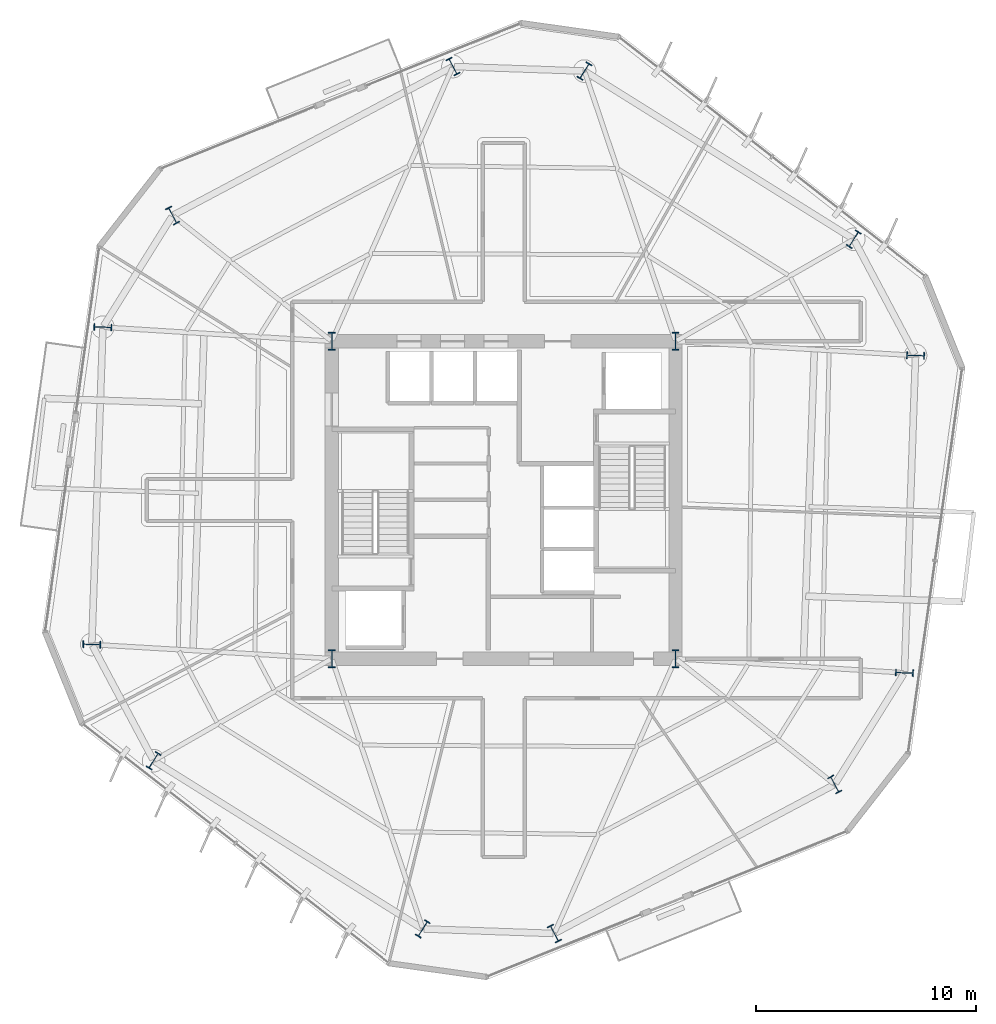
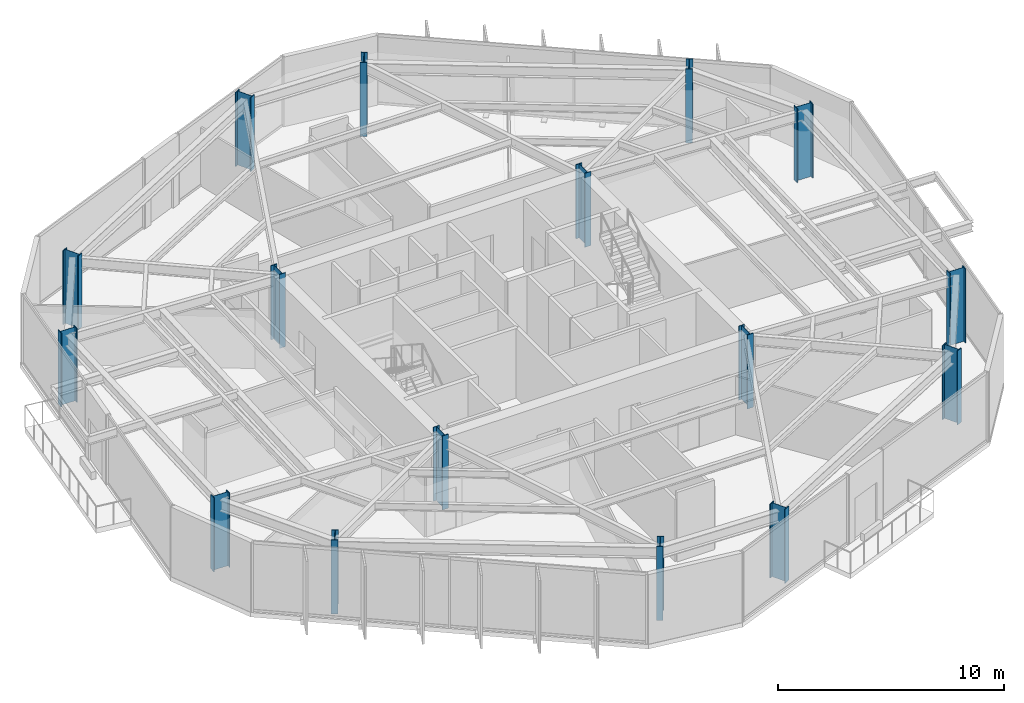
# One storey, part 1 of 12: 16 columns.
"""IFC4 building model written with IfcOpenShell, lengths in metres."""

from ifc_helpers import new_model, si_unit, direction, frame, origin, origin_2d, place, context, subcontext, project, spatial, i_section, extrude, material, material_profile, profile_set, type_object, element, save


model = new_model("IFC4")

# Units and contexts
model_context = context("Model", 3, precision=1e-05, world=origin(), true_north=direction((0.0, 1.0)))
body_context = subcontext(model_context, "Body", "Model", "MODEL_VIEW")
ifc_project = project(units=[si_unit("LENGTHUNIT", "METRE"), si_unit("AREAUNIT", "SQUARE_METRE"), si_unit("VOLUMEUNIT", "CUBIC_METRE"), si_unit("PLANEANGLEUNIT", "RADIAN"), si_unit("MASSUNIT", "GRAM", prefix="KILO")], contexts=[model_context])

# Site, building, storey
site_placement = place(None, origin())
site = spatial("IfcSite", under=ifc_project, at=site_placement, CompositionType="ELEMENT")
building_placement = place(site_placement, origin())
building = spatial("IfcBuilding", under=site, at=building_placement, Name="Kranzbogen Civic Tower", CompositionType="ELEMENT")
storey_placement = place(building_placement, frame((0.0, 0.0, 110.39990234375)))
storey = spatial("IfcBuildingStorey", under=building, at=storey_placement, Name="L26", CompositionType="ELEMENT", Elevation=110.39990234375)

# Columns
ifc_material = material(Name="Steel S460", Category="steel")
ifc_material_profile = material_profile(ifc_material, i_section(OverallWidth=0.302978515625, OverallDepth=0.81396484375, WebThickness=0.02099609375, FlangeThickness=0.0400390625, at=origin_2d()), Name="HEM 800")
ifc_profile_set = profile_set([ifc_material_profile], Name="Steel S460")
column_type = type_object("IfcColumnType", Name="Structural Column HEM 800", PredefinedType="COLUMN", material=ifc_profile_set)
for number, where, z_axis, x_axis, name in (
    (1, (17.199951171875, 17.800048828125, 0.0), (0.0, 0.0, 1.0), (1.0, 0.0, 0.0), "L26 composite core corner column 1"),
    (2, (32.800048828125, 17.800048828125, 0.0), (0.0, 0.0, 1.0), (1.0, 0.0, 0.0), "L26 composite core corner column 2"),
    (3, (32.800048828125, 32.199951171875, 0.0), (0.0, 0.0, 1.0), (1.0, 0.0, 0.0), "L26 composite core corner column 3"),
    (4, (17.199951171875, 32.199951171875, 0.0), (0.0, 0.0, 1.0), (1.0, 0.0, 0.0), "L26 composite core corner column 4"),
    (5, (40.885986328125, 36.8291015625, 0.0), (0.0, 0.0, 1.0), (-0.848048096156, 0.529919264233, 0.0), "L26 tower perimeter tube column 01"),
    (6, (28.66796875, 44.464111328125, 0.0), (0.0, 0.0, 1.0), (-0.848048096156, 0.529919264233, 0.0), "L26 tower perimeter tube column 02"),
    (7, (22.698974609375, 44.672119140625, 0.0), (0.0, 0.0, 1.0), (0.882947592859, 0.469471562786, 0.0), "L26 tower perimeter tube column 03"),
    (8, (9.97705078125, 37.907958984375, 0.0), (0.0, 0.0, 1.0), (0.882947592859, 0.469471562786, 0.0), "L26 tower perimeter tube column 04"),
    (9, (6.81298828125, 32.843994140625, 0.0), (0.0, 0.0, 1.0), (0.034899496703, 0.999390827019, 0.0), "L26 tower perimeter tube column 05"),
    (10, (6.31005859375, 18.444091796875, 0.0), (0.0, 0.0, 1.0), (0.034899496703, 0.999390827019, 0.0), "L26 tower perimeter tube column 06"),
    (11, (9.114013671875, 13.1708984375, 0.0), (0.0, 0.0, 1.0), (-0.848048096156, 0.529919264233, 0.0), "L26 tower perimeter tube column 07"),
    (12, (21.33203125, 5.535888671875, 0.0), (0.0, 0.0, 1.0), (-0.848048096156, 0.529919264233, 0.0), "L26 tower perimeter tube column 08"),
    (13, (27.301025390625, 5.327880859375, 0.0), (0.0, 0.0, 1.0), (0.882947592859, 0.469471562786, 0.0), "L26 tower perimeter tube column 09"),
    (14, (40.02294921875, 12.092041015625, 0.0), (0.0, 0.0, 1.0), (0.882947592859, 0.469471562786, 0.0), "L26 tower perimeter tube column 10"),
    (15, (43.18701171875, 17.156005859375, 0.0), (0.0, 0.0, 1.0), (0.034899496703, 0.999390827019, 0.0), "L26 tower perimeter tube column 11"),
    (16, (43.68994140625, 31.555908203125, 0.0), (0.0, 0.0, 1.0), (0.034899496703, 0.999390827019, 0.0), "L26 tower perimeter tube column 12"),
):
    element("IfcColumn", number, at=place(storey_placement, frame(where, z_axis=z_axis, x_axis=x_axis)), inside=storey, type_object=column_type, Name=name, PredefinedType="COLUMN", context=body_context, shape_type="SweptSolid", body=[
        extrude(i_section(OverallWidth=0.302978515625, OverallDepth=0.81396484375, WebThickness=0.02099609375, FlangeThickness=0.0400390625, at=origin_2d()), origin(), (0.0, 0.0, 1.0), 4.0),
    ])

save(model, "model.ifc")
